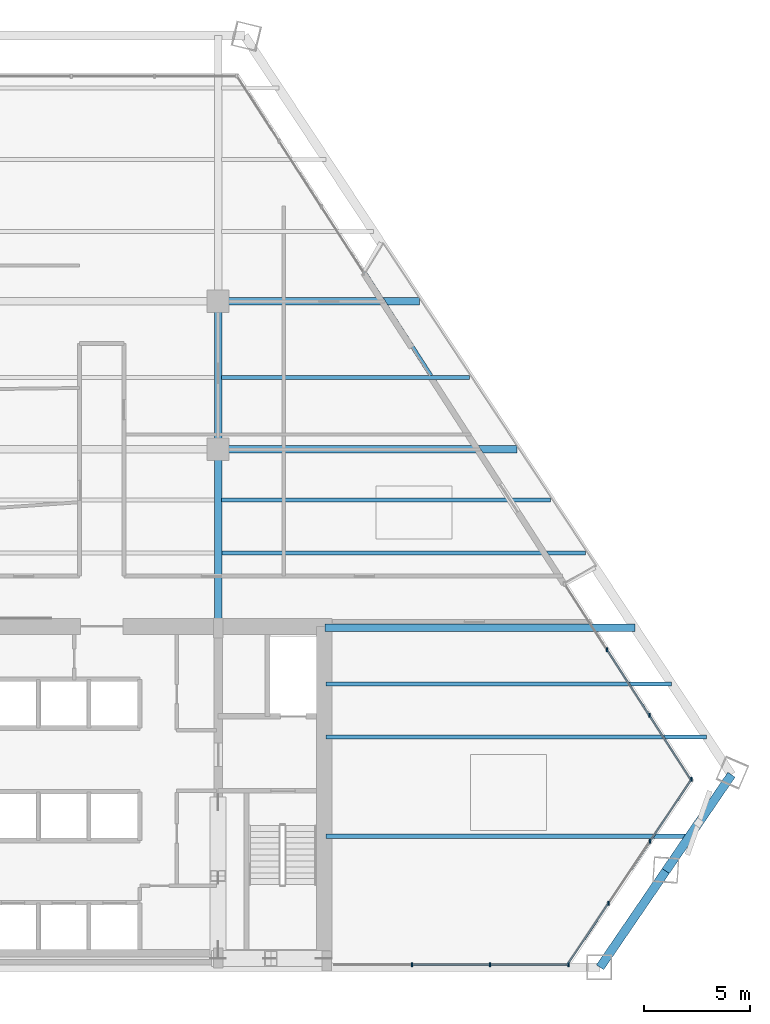
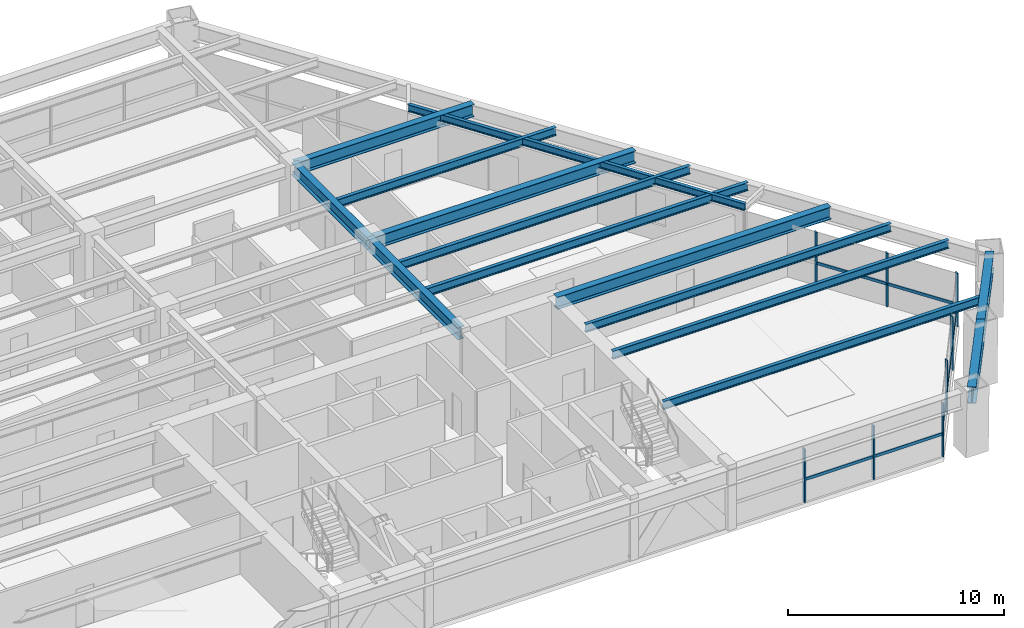
# One storey, part 6 of 14: 15 members, 14 beams, 3 elements without a shape of their own.
"""IFC4 building model written with IfcOpenShell, lengths in metres."""

from ifc_helpers import new_model, si_unit, direction, frame, origin, origin_2d, place, context, subcontext, project, spatial, rectangle, i_section, extrude, source, transform, mapped, material, material_profile, profile_set, type_object, type_shapes, element, aggregate, save


model = new_model("IFC4")

# Units and contexts
model_context = context("Model", 3, precision=1e-05, world=origin(), true_north=direction((0.0, 1.0)))
body_context = subcontext(model_context, "Body", "Model", "MODEL_VIEW")
ifc_project = project(units=[si_unit("LENGTHUNIT", "METRE"), si_unit("AREAUNIT", "SQUARE_METRE"), si_unit("VOLUMEUNIT", "CUBIC_METRE"), si_unit("PLANEANGLEUNIT", "RADIAN"), si_unit("MASSUNIT", "GRAM", prefix="KILO")], contexts=[model_context])

# Site, building, storey
site_placement = place(None, origin())
site = spatial("IfcSite", under=ifc_project, at=site_placement, CompositionType="ELEMENT")
building_placement = place(site_placement, origin())
building = spatial("IfcBuilding", under=site, at=building_placement, Name="Varnakhor Terracotta Tower", CompositionType="ELEMENT")
storey_placement = place(building_placement, frame((0.0, 0.0, 102.5)))
storey = spatial("IfcBuildingStorey", under=building, at=storey_placement, Name="L25", CompositionType="ELEMENT", Elevation=102.5)

# Beams
ifc_material_1 = material(Name="Steel S355", Category="steel")
ifc_material_profile_1 = material_profile(ifc_material_1, i_section(OverallWidth=0.35498046875, OverallDepth=0.695068359375, WebThickness=0.014892578125, FlangeThickness=0.02490234375, FilletRadius=0.01806640625, at=origin_2d()), Name="W27X146")
ifc_profile_set_1 = profile_set([ifc_material_profile_1], Name="Steel S355")
beam_type_1 = type_object("IfcBeamType", Name="BM-W27X146", PredefinedType="BEAM", material=ifc_profile_set_1)
shared_shape_1 = source(origin(), body_context, "Body", "SweptSolid", [
    extrude(i_section(OverallWidth=0.35498046875, OverallDepth=0.695068359375, WebThickness=0.014892578125, FlangeThickness=0.02490234375, FilletRadius=0.01806640625, at=origin_2d()), origin(), (0.0, 0.0, 1.0), 8.449951171875),
])
type_shapes(beam_type_1, [shared_shape_1])
beam_1_placement = place(storey_placement, frame((5.5, 16.050048828125, 3.1025390625), z_axis=(0.0, 1.0, 0.0), x_axis=(-1.0, 0.0, 0.0)))
element("IfcBeam", 1, at=beam_1_placement, inside=storey, type_object=beam_type_1, Name="L25 Primary Girder NS1-E", PredefinedType="BEAM", context=body_context, shape_type="MappedRepresentation", body=[
    mapped(shared_shape_1, transform((0.0, 0.0, 0.0), scale=1.0)),
])
shared_shape_2 = source(origin(), body_context, "Body", "SweptSolid", [
    extrude(i_section(OverallWidth=0.35498046875, OverallDepth=0.695068359375, WebThickness=0.014892578125, FlangeThickness=0.02490234375, FilletRadius=0.01806640625, at=origin_2d()), origin(), (0.0, 0.0, 1.0), 7.0),
])
beam_2_placement = place(storey_placement, frame((5.5, 24.5, 3.1025390625), z_axis=(0.0, 1.0, 0.0), x_axis=(-1.0, 0.0, 0.0)))
element("IfcBeam", 2, at=beam_2_placement, inside=storey, type_object=beam_type_1, Name="L25 Primary Girder NS2-E", PredefinedType="BEAM", context=body_context, shape_type="MappedRepresentation", body=[
    mapped(shared_shape_2, transform((0.0, 0.0, 0.0), scale=1.0)),
])
ifc_material_profile_2 = material_profile(ifc_material_1, i_section(OverallWidth=0.41796875, OverallDepth=0.927001953125, WebThickness=0.01904296875, FlangeThickness=0.031982421875, FilletRadius=0.01806640625, at=origin_2d()), Name="W36X231")
ifc_profile_set_2 = profile_set([ifc_material_profile_2], Name="Steel S355")
beam_type_2 = type_object("IfcBeamType", Name="BM-W36X231", PredefinedType="BEAM", material=ifc_profile_set_2)
shared_shape_3 = source(origin(), body_context, "Body", "SweptSolid", [
    extrude(i_section(OverallWidth=0.41796875, OverallDepth=0.927001953125, WebThickness=0.01904296875, FlangeThickness=0.031982421875, FilletRadius=0.01806640625, at=origin_2d()), origin(), (0.0, 0.0, 1.0), 5.514892578125),
])
beam_3_placement = place(storey_placement, frame((23.56787109375, 0.0, 2.986572265625), z_axis=(0.56382026186, 0.825897519258, 0.0), x_axis=(-0.825897519258, 0.56382026186, 0.0)))
element("IfcBeam", 3, at=beam_3_placement, inside=storey, type_object=beam_type_2, Name="L25 Perimeter Spandrel 2", PredefinedType="BEAM", context=body_context, shape_type="MappedRepresentation", body=[
    mapped(shared_shape_3, transform((0.0, 0.0, 0.0), scale=1.0)),
])
shared_shape_4 = source(origin(), body_context, "Body", "SweptSolid", [
    extrude(i_section(OverallWidth=0.41796875, OverallDepth=0.927001953125, WebThickness=0.01904296875, FlangeThickness=0.031982421875, FilletRadius=0.01806640625, at=origin_2d()), origin(), (0.0, 0.0, 1.0), 5.5146484375),
])
beam_4_placement = place(storey_placement, frame((26.67724609375, 4.5546875, 2.986572265625), z_axis=(0.563840877017, 0.825883445411, 0.0), x_axis=(-0.825883445411, 0.563840877017, 0.0)))
element("IfcBeam", 4, at=beam_4_placement, inside=storey, type_object=beam_type_2, Name="L25 Perimeter Spandrel 3", PredefinedType="BEAM", context=body_context, shape_type="MappedRepresentation", body=[
    mapped(shared_shape_4, transform((0.0, 0.0, 0.0), scale=1.0)),
])
ifc_material_profile_3 = material_profile(ifc_material_1, i_section(OverallWidth=0.179931640625, OverallDepth=0.39990234375, WebThickness=0.008544921875, FlangeThickness=0.013427734375, FilletRadius=0.01806640625, at=origin_2d()), Name="IPE400")
ifc_profile_set_3 = profile_set([ifc_material_profile_3], Name="Steel S355")
beam_type_3 = type_object("IfcBeamType", Name="JST-IPE400", PredefinedType="JOIST", material=ifc_profile_set_3)
shared_shape_5 = source(origin(), body_context, "Body", "SweptSolid", [
    extrude(i_section(OverallWidth=0.179931640625, OverallDepth=0.39990234375, WebThickness=0.008544921875, FlangeThickness=0.013427734375, FilletRadius=0.01806640625, at=origin_2d()), origin(), (0.0, 0.0, 1.0), 17.555908203125),
])
beam_5_placement = place(storey_placement, frame((21.915283203125, 18.135986328125, 3.25), z_axis=(-0.54128181568, 0.84084124305, 0.0), x_axis=(-0.84084124305, -0.54128181568, 0.0)))
element("IfcBeam", 5, at=beam_5_placement, inside=storey, type_object=beam_type_3, Name="L25 Loggia Edge Beam 1", PredefinedType="JOIST", context=body_context, shape_type="MappedRepresentation", body=[
    mapped(shared_shape_5, transform((0.0, 0.0, 0.0), scale=1.0)),
])
shared_shape_6 = source(origin(), body_context, "Body", "SweptSolid", [
    extrude(i_section(OverallWidth=0.35498046875, OverallDepth=0.695068359375, WebThickness=0.014892578125, FlangeThickness=0.02490234375, FilletRadius=0.01806640625, at=origin_2d()), origin(), (0.0, 0.0, 1.0), 14.662353515625),
])
beam_6_placement = place(storey_placement, frame((10.550048828125, 16.050048828125, 3.1025390625), z_axis=(1.0, 0.0, 0.0), x_axis=(0.0, 1.0, 0.0)))
element("IfcBeam", 6, at=beam_6_placement, inside=storey, type_object=beam_type_1, Name="L25 Wing Girder E", PredefinedType="BEAM", context=body_context, shape_type="MappedRepresentation", body=[
    mapped(shared_shape_6, transform((0.0, 0.0, 0.0), scale=1.0)),
])
shared_shape_7 = source(origin(), body_context, "Body", "SweptSolid", [
    extrude(i_section(OverallWidth=0.35498046875, OverallDepth=0.695068359375, WebThickness=0.014892578125, FlangeThickness=0.02490234375, FilletRadius=0.01806640625, at=origin_2d()), origin(), (0.0, 0.0, 1.0), 14.143798828125),
])
beam_7_placement = place(storey_placement, frame((5.5, 24.5, 3.1025390625), z_axis=(1.0, 0.0, 0.0), x_axis=(0.0, 1.0, 0.0)))
element("IfcBeam", 7, at=beam_7_placement, inside=storey, type_object=beam_type_1, Name="L25 Primary Girder EW2-3", PredefinedType="BEAM", context=body_context, shape_type="MappedRepresentation", body=[
    mapped(shared_shape_7, transform((0.0, 0.0, 0.0), scale=1.0)),
])
shared_shape_8 = source(origin(), body_context, "Body", "SweptSolid", [
    extrude(i_section(OverallWidth=0.35498046875, OverallDepth=0.695068359375, WebThickness=0.014892578125, FlangeThickness=0.02490234375, FilletRadius=0.01806640625, at=origin_2d()), origin(), (0.0, 0.0, 1.0), 9.530517578125),
])
beam_8_placement = place(storey_placement, frame((5.5, 31.5, 3.1025390625), z_axis=(1.0, 0.0, 0.0), x_axis=(0.0, 1.0, 0.0)))
element("IfcBeam", 8, at=beam_8_placement, inside=storey, type_object=beam_type_1, Name="L25 Primary Girder EW3-3", PredefinedType="BEAM", context=body_context, shape_type="MappedRepresentation", body=[
    mapped(shared_shape_8, transform((0.0, 0.0, 0.0), scale=1.0)),
])
ifc_material_profile_4 = material_profile(ifc_material_1, i_section(OverallWidth=0.19189453125, OverallDepth=0.462890625, WebThickness=0.010498046875, FlangeThickness=0.017578125, FilletRadius=0.01806640625, at=origin_2d()), Name="W18X60")
ifc_profile_set_4 = profile_set([ifc_material_profile_4], Name="Steel S355")
beam_type_4 = type_object("IfcBeamType", Name="JST-W18X60", PredefinedType="JOIST", material=ifc_profile_set_4)
shared_shape_9 = source(origin(), body_context, "Body", "SweptSolid", [
    extrude(i_section(OverallWidth=0.19189453125, OverallDepth=0.462890625, WebThickness=0.010498046875, FlangeThickness=0.017578125, FilletRadius=0.01806640625, at=origin_2d()), origin(), (0.0, 0.0, 1.0), 17.200439453125),
])
beam_9_placement = place(storey_placement, frame((10.60009765625, 6.199951171875, 3.218505859375), z_axis=(1.0, 0.0, 0.0), x_axis=(0.0, 1.0, 0.0)))
element("IfcBeam", 9, at=beam_9_placement, inside=storey, type_object=beam_type_4, Name="L25 Floor Joist E1", PredefinedType="JOIST", context=body_context, shape_type="MappedRepresentation", body=[
    mapped(shared_shape_9, transform((0.0, 0.0, 0.0), scale=1.0)),
])
shared_shape_10 = source(origin(), body_context, "Body", "SweptSolid", [
    extrude(i_section(OverallWidth=0.19189453125, OverallDepth=0.462890625, WebThickness=0.010498046875, FlangeThickness=0.017578125, FilletRadius=0.01806640625, at=origin_2d()), origin(), (0.0, 0.0, 1.0), 18.00634765625),
])
beam_10_placement = place(storey_placement, frame((10.60009765625, 10.89990234375, 3.218505859375), z_axis=(1.0, 0.0, 0.0), x_axis=(0.0, 1.0, 0.0)))
element("IfcBeam", 10, at=beam_10_placement, inside=storey, type_object=beam_type_4, Name="L25 Floor Joist E2", PredefinedType="JOIST", context=body_context, shape_type="MappedRepresentation", body=[
    mapped(shared_shape_10, transform((0.0, 0.0, 0.0), scale=1.0)),
])
shared_shape_11 = source(origin(), body_context, "Body", "SweptSolid", [
    extrude(i_section(OverallWidth=0.19189453125, OverallDepth=0.462890625, WebThickness=0.010498046875, FlangeThickness=0.017578125, FilletRadius=0.01806640625, at=origin_2d()), origin(), (0.0, 0.0, 1.0), 16.35888671875),
])
beam_11_placement = place(storey_placement, frame((10.60009765625, 13.39990234375, 3.218505859375), z_axis=(1.0, 0.0, 0.0), x_axis=(0.0, 1.0, 0.0)))
element("IfcBeam", 11, at=beam_11_placement, inside=storey, type_object=beam_type_4, Name="L25 Floor Joist E3", PredefinedType="JOIST", context=body_context, shape_type="MappedRepresentation", body=[
    mapped(shared_shape_11, transform((0.0, 0.0, 0.0), scale=1.0)),
])
shared_shape_12 = source(origin(), body_context, "Body", "SweptSolid", [
    extrude(i_section(OverallWidth=0.19189453125, OverallDepth=0.462890625, WebThickness=0.010498046875, FlangeThickness=0.017578125, FilletRadius=0.01806640625, at=origin_2d()), origin(), (0.0, 0.0, 1.0), 17.199462890625),
])
beam_12_placement = place(storey_placement, frame((5.673583984375, 19.60009765625, 3.218505859375), z_axis=(1.0, 0.0, 0.0), x_axis=(0.0, 1.0, 0.0)))
element("IfcBeam", 12, at=beam_12_placement, inside=storey, type_object=beam_type_4, Name="L25 Composite Floor Joist 4-3", PredefinedType="JOIST", context=body_context, shape_type="MappedRepresentation", body=[
    mapped(shared_shape_12, transform((0.0, 0.0, 0.0), scale=1.0)),
])
shared_shape_13 = source(origin(), body_context, "Body", "SweptSolid", [
    extrude(i_section(OverallWidth=0.19189453125, OverallDepth=0.462890625, WebThickness=0.010498046875, FlangeThickness=0.017578125, FilletRadius=0.01806640625, at=origin_2d()), origin(), (0.0, 0.0, 1.0), 15.5517578125),
])
beam_13_placement = place(storey_placement, frame((5.673583984375, 22.10009765625, 3.218505859375), z_axis=(1.0, 0.0, 0.0), x_axis=(0.0, 1.0, 0.0)))
element("IfcBeam", 13, at=beam_13_placement, inside=storey, type_object=beam_type_4, Name="L25 Composite Floor Joist 5-3", PredefinedType="JOIST", context=body_context, shape_type="MappedRepresentation", body=[
    mapped(shared_shape_13, transform((0.0, 0.0, 0.0), scale=1.0)),
])
shared_shape_14 = source(origin(), body_context, "Body", "SweptSolid", [
    extrude(i_section(OverallWidth=0.19189453125, OverallDepth=0.462890625, WebThickness=0.010498046875, FlangeThickness=0.017578125, FilletRadius=0.01806640625, at=origin_2d()), origin(), (0.0, 0.0, 1.0), 11.7294921875),
])
beam_14_placement = place(storey_placement, frame((5.673583984375, 27.89990234375, 3.218505859375), z_axis=(1.0, 0.0, 0.0), x_axis=(0.0, 1.0, 0.0)))
element("IfcBeam", 14, at=beam_14_placement, inside=storey, type_object=beam_type_4, Name="L25 Composite Floor Joist 6-3", PredefinedType="JOIST", context=body_context, shape_type="MappedRepresentation", body=[
    mapped(shared_shape_14, transform((0.0, 0.0, 0.0), scale=1.0)),
])

# Curtain wall, members
ifc_material_2 = material(Name="Anodised Aluminium Curtain Wall System", Category="aluminium")
curtain_wall_type = type_object("IfcCurtainWallType", Name="CW-SYS-LOW-OFFICE", PredefinedType="NOTDEFINED", material=ifc_material_2)
curtain_wall_1_placement = place(storey_placement, origin())
curtain_wall_1 = element("IfcCurtainWall", 15, at=curtain_wall_1_placement, inside=storey, type_object=curtain_wall_type, Name="L25 E Facet Curtain Wall 2", PredefinedType="NOTDEFINED")
ifc_material_3 = material(Name="Anodised Aluminium 6063-T6", Category="aluminium")
ifc_material_profile_5 = material_profile(ifc_material_3, rectangle(XDim=0.074951171875, YDim=0.18505859375, at=origin_2d()), Name="ALU MULLION 75x185")
ifc_profile_set_5 = profile_set([ifc_material_profile_5], Name="Anodised Aluminium 6063-T6")
member_type_1 = type_object("IfcMemberType", Name="CWM-02", PredefinedType="MULLION", material=ifc_profile_set_5)
shared_shape_15 = source(origin(), body_context, "Body", "SweptSolid", [
    extrude(rectangle(XDim=0.074951171875, YDim=0.18505859375, at=origin_2d()), origin(), (0.0, 0.0, 1.0), 3.030029296875),
])
type_shapes(member_type_1, [shared_shape_15])
member_1_placement = place(storey_placement, frame((23.899169921875, 15.019287109375, 0.0), z_axis=(0.0, 0.0, 1.0), x_axis=(1.0, 0.0, 0.0)))
member_1 = element("IfcMember", 16, at=member_1_placement, type_object=member_type_1, Name="L25 E Facet Curtain Wall 2 Mullion 2", PredefinedType="MULLION", context=body_context, shape_type="MappedRepresentation", body=[
    mapped(shared_shape_15, transform((0.0, 0.0, 0.0), scale=1.0)),
])
member_2_placement = place(storey_placement, frame((25.8994140625, 11.917236328125, 0.0), z_axis=(0.0, 0.0, 1.0), x_axis=(1.0, 0.0, 0.0)))
member_2 = element("IfcMember", 17, at=member_2_placement, type_object=member_type_1, Name="L25 E Facet Curtain Wall 2 Mullion 3", PredefinedType="MULLION", context=body_context, shape_type="MappedRepresentation", body=[
    mapped(shared_shape_15, transform((0.0, 0.0, 0.0), scale=1.0)),
])

curtain_wall_2_placement = place(storey_placement, origin())
curtain_wall_2 = element("IfcCurtainWall", 18, at=curtain_wall_2_placement, inside=storey, type_object=curtain_wall_type, Name="L25 Facet Curtain Wall 4", PredefinedType="NOTDEFINED")
member_3_placement = place(storey_placement, frame((27.900146484375, 8.897216796875, 0.0), z_axis=(0.0, 0.0, 1.0), x_axis=(1.0, 0.0, 0.0)))
member_3 = element("IfcMember", 19, at=member_3_placement, type_object=member_type_1, Name="L25 Facet Curtain Wall 4 Mullion 1", PredefinedType="MULLION", context=body_context, shape_type="MappedRepresentation", body=[
    mapped(shared_shape_15, transform((0.0, 0.0, 0.0), scale=1.0)),
])
member_4_placement = place(storey_placement, frame((25.93408203125, 5.9619140625, 0.0), z_axis=(0.0, 0.0, 1.0), x_axis=(1.0, 0.0, 0.0)))
member_4 = element("IfcMember", 20, at=member_4_placement, type_object=member_type_1, Name="L25 Facet Curtain Wall 4 Mullion 2", PredefinedType="MULLION", context=body_context, shape_type="MappedRepresentation", body=[
    mapped(shared_shape_15, transform((0.0, 0.0, 0.0), scale=1.0)),
])
member_5_placement = place(storey_placement, frame((23.968017578125, 3.02685546875, 0.0), z_axis=(0.0, 0.0, 1.0), x_axis=(1.0, 0.0, 0.0)))
member_5 = element("IfcMember", 21, at=member_5_placement, type_object=member_type_1, Name="L25 Facet Curtain Wall 4 Mullion 3", PredefinedType="MULLION", context=body_context, shape_type="MappedRepresentation", body=[
    mapped(shared_shape_15, transform((0.0, 0.0, 0.0), scale=1.0)),
])

curtain_wall_3_placement = place(storey_placement, origin())
curtain_wall_3 = element("IfcCurtainWall", 22, at=curtain_wall_3_placement, inside=storey, type_object=curtain_wall_type, Name="L25 South Wing Curtain Wall SSE", PredefinedType="NOTDEFINED")
member_6_placement = place(storey_placement, frame((22.07470703125, 0.1201171875, 0.0), z_axis=(0.0, 0.0, 1.0), x_axis=(1.0, 0.0, 0.0)))
member_6 = element("IfcMember", 23, at=member_6_placement, type_object=member_type_1, Name="L25 South Wing Curtain Wall SSE Mullion 1", PredefinedType="MULLION", context=body_context, shape_type="MappedRepresentation", body=[
    mapped(shared_shape_15, transform((0.0, 0.0, 0.0), scale=1.0)),
])
member_7_placement = place(storey_placement, frame((18.373046875, 0.1201171875, 0.0), z_axis=(0.0, 0.0, 1.0), x_axis=(1.0, 0.0, 0.0)))
member_7 = element("IfcMember", 24, at=member_7_placement, type_object=member_type_1, Name="L25 South Wing Curtain Wall SSE Mullion 2", PredefinedType="MULLION", context=body_context, shape_type="MappedRepresentation", body=[
    mapped(shared_shape_15, transform((0.0, 0.0, 0.0), scale=1.0)),
])
member_8_placement = place(storey_placement, frame((14.671630859375, 0.1201171875, 0.0), z_axis=(0.0, 0.0, 1.0), x_axis=(1.0, 0.0, 0.0)))
member_8 = element("IfcMember", 25, at=member_8_placement, type_object=member_type_1, Name="L25 South Wing Curtain Wall SSE Mullion 3", PredefinedType="MULLION", context=body_context, shape_type="MappedRepresentation", body=[
    mapped(shared_shape_15, transform((0.0, 0.0, 0.0), scale=1.0)),
])

# Member
ifc_material_profile_6 = material_profile(ifc_material_3, rectangle(XDim=0.074951171875, YDim=0.1650390625, at=origin_2d()), Name="ALU TRANSOM 75x165")
ifc_profile_set_6 = profile_set([ifc_material_profile_6], Name="Anodised Aluminium 6063-T6")
member_type_2 = type_object("IfcMemberType", Name="CWT-02", PredefinedType="USERDEFINED", material=ifc_profile_set_6)
shared_shape_16 = source(origin(), body_context, "Body", "SweptSolid", [
    extrude(rectangle(XDim=0.074951171875, YDim=0.1650390625, at=origin_2d()), origin(), (0.0, 0.0, 1.0), 3.690673828125),
])
member_9_placement = place(storey_placement, frame((25.8994140625, 11.917236328125, 1.272705078125), z_axis=(0.541903854472, -0.84044048719, 0.0), x_axis=(0.84044048719, 0.541903854472, 0.0)))
member_9 = element("IfcMember", 26, at=member_9_placement, type_object=member_type_2, Name="L25 E Facet Curtain Wall 2 Transom 3", ObjectType="TRANSOM", PredefinedType="USERDEFINED", context=body_context, shape_type="MappedRepresentation", body=[
    mapped(shared_shape_16, transform((0.0, 0.0, 0.0), scale=1.0)),
])

shared_shape_17 = source(origin(), body_context, "Body", "SweptSolid", [
    extrude(rectangle(XDim=0.074951171875, YDim=0.1650390625, at=origin_2d()), origin(), (0.0, 0.0, 1.0), 3.69091796875),
])
member_10_placement = place(storey_placement, frame((23.899169921875, 15.019287109375, 1.272705078125), z_axis=(0.541920450127, -0.84042978632, 0.0), x_axis=(0.84042978632, 0.541920450127, 0.0)))
member_10 = element("IfcMember", 27, at=member_10_placement, type_object=member_type_2, Name="L25 E Facet Curtain Wall 2 Transom 2", ObjectType="TRANSOM", PredefinedType="USERDEFINED", context=body_context, shape_type="MappedRepresentation", body=[
    mapped(shared_shape_17, transform((0.0, 0.0, 0.0), scale=1.0)),
])

aggregate(curtain_wall_1, [member_1, member_10, member_2, member_9])

shared_shape_18 = source(origin(), body_context, "Body", "SweptSolid", [
    extrude(rectangle(XDim=0.074951171875, YDim=0.1650390625, at=origin_2d()), origin(), (0.0, 0.0, 1.0), 3.532958984375),
])
member_11_placement = place(storey_placement, frame((27.900146484375, 8.897216796875, 1.272705078125), z_axis=(-0.556500935774, -0.830846982592, 0.0), x_axis=(0.830846982592, -0.556500935774, 0.0)))
member_11 = element("IfcMember", 28, at=member_11_placement, type_object=member_type_2, Name="L25 Facet Curtain Wall 4 Transom 1", ObjectType="TRANSOM", PredefinedType="USERDEFINED", context=body_context, shape_type="MappedRepresentation", body=[
    mapped(shared_shape_18, transform((0.0, 0.0, 0.0), scale=1.0)),
])

member_12_placement = place(storey_placement, frame((23.968017578125, 3.02685546875, 1.272705078125), z_axis=(-0.556580590018, -0.830793624684, 0.0), x_axis=(0.830793624684, -0.556580590018, 0.0)))
member_12 = element("IfcMember", 29, at=member_12_placement, type_object=member_type_2, Name="L25 Facet Curtain Wall 4 Transom 3", ObjectType="TRANSOM", PredefinedType="USERDEFINED", context=body_context, shape_type="MappedRepresentation", body=[
    mapped(shared_shape_18, transform((0.0, 0.0, 0.0), scale=1.0)),
])

shared_shape_19 = source(origin(), body_context, "Body", "SweptSolid", [
    extrude(rectangle(XDim=0.074951171875, YDim=0.1650390625, at=origin_2d()), origin(), (0.0, 0.0, 1.0), 3.53271484375),
])
member_13_placement = place(storey_placement, frame((25.93408203125, 5.9619140625, 1.272705078125), z_axis=(-0.556532888984, -0.830825579457, 0.0), x_axis=(0.830825579457, -0.556532888984, 0.0)))
member_13 = element("IfcMember", 30, at=member_13_placement, type_object=member_type_2, Name="L25 Facet Curtain Wall 4 Transom 2", ObjectType="TRANSOM", PredefinedType="USERDEFINED", context=body_context, shape_type="MappedRepresentation", body=[
    mapped(shared_shape_19, transform((0.0, 0.0, 0.0), scale=1.0)),
])

aggregate(curtain_wall_2, [member_3, member_11, member_4, member_13, member_5, member_12])

shared_shape_20 = source(origin(), body_context, "Body", "SweptSolid", [
    extrude(rectangle(XDim=0.074951171875, YDim=0.1650390625, at=origin_2d()), origin(), (0.0, 0.0, 1.0), 3.70166015625),
])
member_14_placement = place(storey_placement, frame((22.07470703125, 0.1201171875, 1.272705078125), z_axis=(-1.0, 0.0, 0.0), x_axis=(0.0, -1.0, 0.0)))
member_14 = element("IfcMember", 31, at=member_14_placement, type_object=member_type_2, Name="L25 South Wing Curtain Wall SSE Transom 1", ObjectType="TRANSOM", PredefinedType="USERDEFINED", context=body_context, shape_type="MappedRepresentation", body=[
    mapped(shared_shape_20, transform((0.0, 0.0, 0.0), scale=1.0)),
])

shared_shape_21 = source(origin(), body_context, "Body", "SweptSolid", [
    extrude(rectangle(XDim=0.074951171875, YDim=0.1650390625, at=origin_2d()), origin(), (0.0, 0.0, 1.0), 3.701416015625),
])
member_15_placement = place(storey_placement, frame((18.373046875, 0.1201171875, 1.272705078125), z_axis=(-1.0, 0.0, 0.0), x_axis=(0.0, -1.0, 0.0)))
member_15 = element("IfcMember", 32, at=member_15_placement, type_object=member_type_2, Name="L25 South Wing Curtain Wall SSE Transom 2", ObjectType="TRANSOM", PredefinedType="USERDEFINED", context=body_context, shape_type="MappedRepresentation", body=[
    mapped(shared_shape_21, transform((0.0, 0.0, 0.0), scale=1.0)),
])

aggregate(curtain_wall_3, [member_6, member_14, member_7, member_15, member_8])

save(model, "model.ifc")
